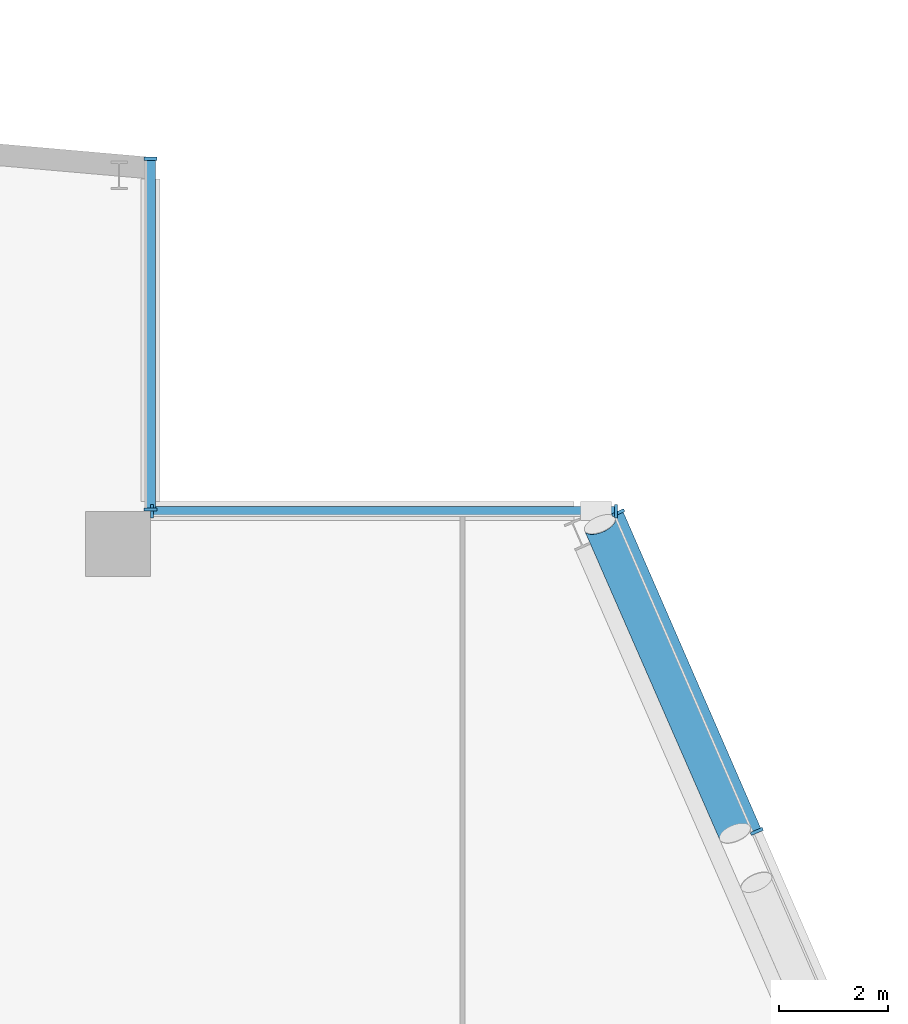
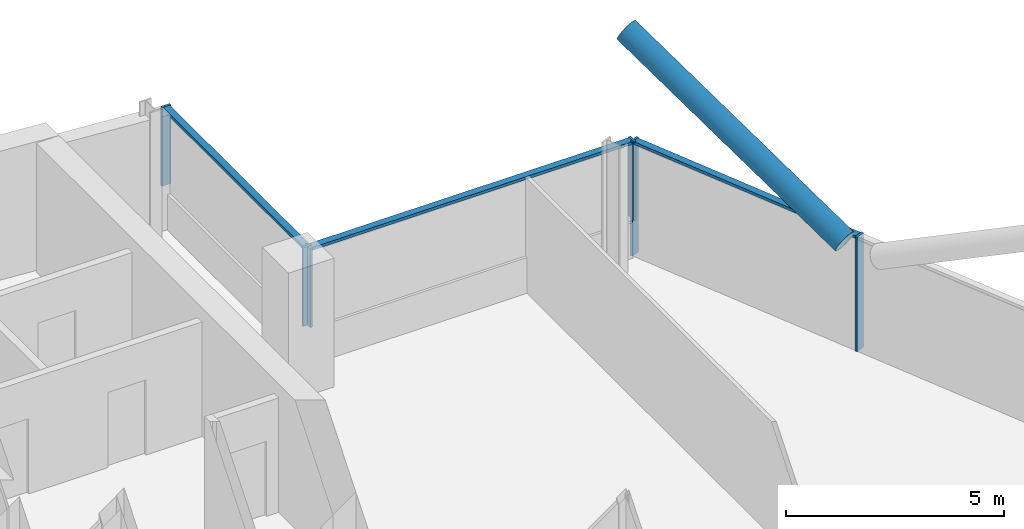
# One storey, part 11 of 27: 10 members, 3 elements without a shape of their own.
"""IFC4 building model written with IfcOpenShell, lengths in metres."""

from ifc_helpers import new_model, si_unit, direction, frame, origin, origin_2d, place, context, subcontext, project, spatial, rectangle, hollow_circle, extrude, material, material_profile, profile_set, type_object, element, aggregate, save


model = new_model("IFC4")

# Units and contexts
model_context = context("Model", 3, precision=1e-05, world=origin(), true_north=direction((0.0, 1.0)))
body_context = subcontext(model_context, "Body", "Model", "MODEL_VIEW")
ifc_project = project(units=[si_unit("LENGTHUNIT", "METRE"), si_unit("AREAUNIT", "SQUARE_METRE"), si_unit("VOLUMEUNIT", "CUBIC_METRE"), si_unit("PLANEANGLEUNIT", "RADIAN"), si_unit("MASSUNIT", "GRAM", prefix="KILO")], contexts=[model_context])

# Site, building, storey
site_placement = place(None, origin())
site = spatial("IfcSite", under=ifc_project, at=site_placement, CompositionType="ELEMENT")
building_placement = place(site_placement, origin())
building = spatial("IfcBuilding", under=site, at=building_placement, Name="Wharfspan Tower", CompositionType="ELEMENT")
storey_placement = place(building_placement, frame((0.0, 0.0, 221.5)))
storey = spatial("IfcBuildingStorey", under=building, at=storey_placement, Name="L55", CompositionType="ELEMENT", Elevation=221.5)

# Curtain wall, members
ifc_material_1 = material(Name="Aluminium 6063-T6", Category="aluminium")
curtain_wall_type = type_object("IfcCurtainWallType", Name="CURTAIN WALL PROW AND END", PredefinedType="NOTDEFINED", material=ifc_material_1)
curtain_wall_1_placement = place(storey_placement, origin())
curtain_wall_1 = element("IfcCurtainWall", 1, at=curtain_wall_1_placement, inside=storey, type_object=curtain_wall_type, Name="Curtain wall E", PredefinedType="NOTDEFINED")
ifc_material_profile_1 = material_profile(ifc_material_1, rectangle(XDim=0.23999, YDim=0.060059, at=origin_2d()))
ifc_profile_set_1 = profile_set([ifc_material_profile_1], Name="Aluminium 6063-T6")
member_type_1 = type_object("IfcMemberType", Name="MULLION PROW AND END 60x240", PredefinedType="MULLION", material=ifc_profile_set_1)
member_1_placement = place(storey_placement, frame((72.173828, 36.100098, 0.0), z_axis=(0.0, 0.0, 1.0), x_axis=(-0.917072, -0.398727, 0.0)))
member_1 = element("IfcMember", 2, at=member_1_placement, type_object=member_type_1, Name="Curtain wall E mullion 6", PredefinedType="MULLION", context=body_context, shape_type="SweptSolid", body=[
    extrude(rectangle(XDim=0.23999, YDim=0.060059, at=origin_2d()), origin(), (0.0, 0.0, 1.0), 3.199951),
])
member_2_placement = place(storey_placement, frame((69.620605, 41.972412, 0.0), z_axis=(0.0, 0.0, 1.0), x_axis=(-0.917072, -0.398727, 0.0)))
member_2 = element("IfcMember", 3, at=member_2_placement, type_object=member_type_1, Name="Curtain wall E mullion 7", PredefinedType="MULLION", context=body_context, shape_type="SweptSolid", body=[
    extrude(rectangle(XDim=0.23999, YDim=0.060059, at=origin_2d()), origin(), (0.0, 0.0, 1.0), 3.199951),
])

curtain_wall_2_placement = place(storey_placement, origin())
curtain_wall_2 = element("IfcCurtainWall", 4, at=curtain_wall_2_placement, inside=storey, type_object=curtain_wall_type, Name="Curtain wall NRE-H", PredefinedType="NOTDEFINED")
member_3_placement = place(storey_placement, frame((69.578613, 42.0, 1.0), z_axis=(0.0, 0.0, 1.0), x_axis=(0.0, -1.0, 0.0)))
member_3 = element("IfcMember", 5, at=member_3_placement, type_object=member_type_1, Name="Curtain wall NRE-H mullion 1", PredefinedType="MULLION", context=body_context, shape_type="SweptSolid", body=[
    extrude(rectangle(XDim=0.23999, YDim=0.060059, at=origin_2d()), origin(), (0.0, 0.0, 1.0), 2.199951),
])
member_4_placement = place(storey_placement, frame((61.030029, 42.0, 1.0), z_axis=(0.0, 0.0, 1.0), x_axis=(0.0, -1.0, 0.0)))
member_4 = element("IfcMember", 6, at=member_4_placement, type_object=member_type_1, Name="Curtain wall NRE-H mullion 2", PredefinedType="MULLION", context=body_context, shape_type="SweptSolid", body=[
    extrude(rectangle(XDim=0.23999, YDim=0.060059, at=origin_2d()), origin(), (0.0, 0.0, 1.0), 2.199951),
])

curtain_wall_3_placement = place(storey_placement, origin())
curtain_wall_3 = element("IfcCurtainWall", 7, at=curtain_wall_3_placement, inside=storey, type_object=curtain_wall_type, Name="Curtain wall NRE-V", PredefinedType="NOTDEFINED")
member_5_placement = place(storey_placement, frame((61.0, 42.030029, 1.0), z_axis=(0.0, 0.0, 1.0), x_axis=(-1.0, 0.0, 0.0)))
member_5 = element("IfcMember", 8, at=member_5_placement, type_object=member_type_1, Name="Curtain wall NRE-V mullion 1", PredefinedType="MULLION", context=body_context, shape_type="SweptSolid", body=[
    extrude(rectangle(XDim=0.23999, YDim=0.060059, at=origin_2d()), origin(), (0.0, 0.0, 1.0), 2.199951),
])
member_6_placement = place(storey_placement, frame((61.0, 48.494873, 1.0), z_axis=(0.0, 0.0, 1.0), x_axis=(-1.0, 0.0, 0.0)))
member_6 = element("IfcMember", 9, at=member_6_placement, type_object=member_type_1, Name="Curtain wall NRE-V mullion 2", PredefinedType="MULLION", context=body_context, shape_type="SweptSolid", body=[
    extrude(rectangle(XDim=0.23999, YDim=0.060059, at=origin_2d()), origin(), (0.0, 0.0, 1.0), 2.199951),
])

# Member
ifc_material_2 = material(Name="Steel S460NH", Category="steel")
ifc_material_profile_2 = material_profile(ifc_material_2, hollow_circle(Radius=0.304932, WallThickness=0.024902, at=origin_2d()))
ifc_profile_set_2 = profile_set([ifc_material_profile_2], Name="Steel S460NH")
member_type_2 = type_object("IfcMemberType", Name="Mega brace CHS 610x25", PredefinedType="BRACE", material=ifc_profile_set_2)
member_7_placement = place(storey_placement, frame((71.769775, 36.06958, 3.166748), z_axis=(-0.352909, 0.807115, 0.473307), x_axis=(-0.916238, -0.400621, -3e-06)))
element("IfcMember", 10, at=member_7_placement, inside=storey, type_object=member_type_2, Name="Mega brace E6 L55 part 2", PredefinedType="BRACE", context=body_context, shape_type="SweptSolid", body=[
    extrude(hollow_circle(Radius=0.304932, WallThickness=0.024902, at=origin_2d()), origin(), (0.0, 0.0, 1.0), 7.04248),
])

ifc_material_profile_3 = material_profile(ifc_material_1, rectangle(XDim=0.179932, YDim=0.080078, at=origin_2d()))
ifc_profile_set_3 = profile_set([ifc_material_profile_3], Name="Aluminium 6063-T6")
member_type_3 = type_object("IfcMemberType", Name="TRANSOM PROW AND END 80x180", PredefinedType="USERDEFINED", material=ifc_profile_set_3)
member_8_placement = place(storey_placement, frame((72.161865, 36.127441, 3.159912), z_axis=(-0.398712, 0.917076, 0.0), x_axis=(-0.917076, -0.398712, 0.0)))
member_8 = element("IfcMember", 11, at=member_8_placement, type_object=member_type_3, Name="Curtain wall E transom 6", ObjectType="TRANSOM", PredefinedType="USERDEFINED", context=body_context, shape_type="SweptSolid", body=[
    extrude(rectangle(XDim=0.179932, YDim=0.080078, at=origin_2d()), origin(), (0.0, 0.0, 1.0), 6.34375),
])

aggregate(curtain_wall_1, [member_1, member_2, member_8])

member_9_placement = place(storey_placement, frame((69.548584, 42.0, 3.159912), z_axis=(-1.0, 0.0, 0.0), x_axis=(0.0, -1.0, 0.0)))
member_9 = element("IfcMember", 12, at=member_9_placement, type_object=member_type_3, Name="Curtain wall NRE-H transom 1", ObjectType="TRANSOM", PredefinedType="USERDEFINED", context=body_context, shape_type="SweptSolid", body=[
    extrude(rectangle(XDim=0.179932, YDim=0.080078, at=origin_2d()), origin(), (0.0, 0.0, 1.0), 8.488525),
])

aggregate(curtain_wall_2, [member_3, member_4, member_9])

member_10_placement = place(storey_placement, frame((61.0, 42.060059, 3.159912), z_axis=(0.0, 1.0, 0.0), x_axis=(-1.0, 0.0, 0.0)))
member_10 = element("IfcMember", 13, at=member_10_placement, type_object=member_type_3, Name="Curtain wall NRE-V transom 1", ObjectType="TRANSOM", PredefinedType="USERDEFINED", context=body_context, shape_type="SweptSolid", body=[
    extrude(rectangle(XDim=0.179932, YDim=0.080078, at=origin_2d()), origin(), (0.0, 0.0, 1.0), 6.404785),
])

aggregate(curtain_wall_3, [member_5, member_6, member_10])

save(model, "model.ifc")
